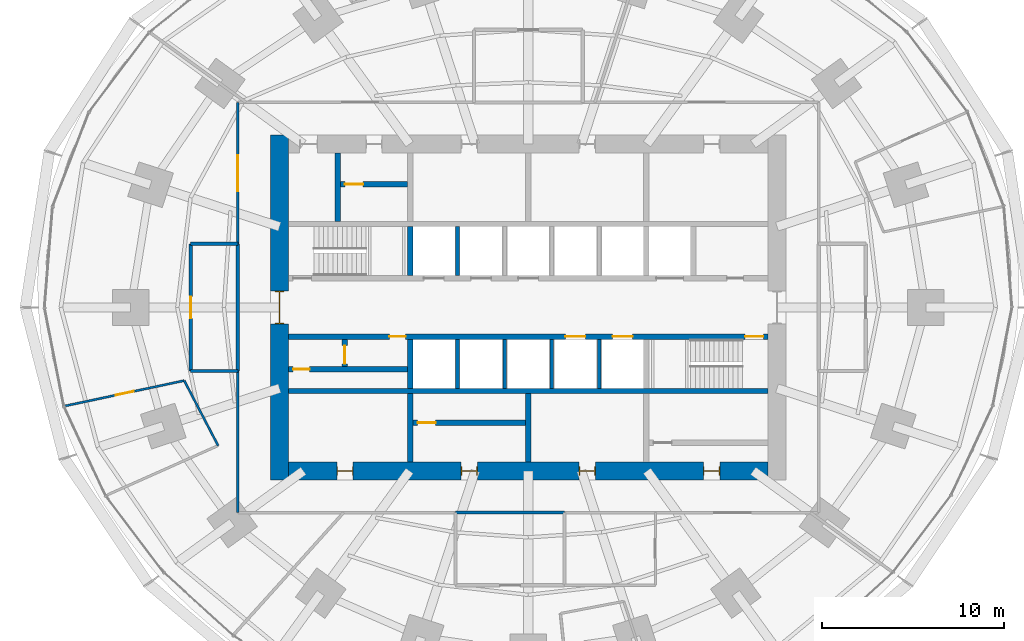
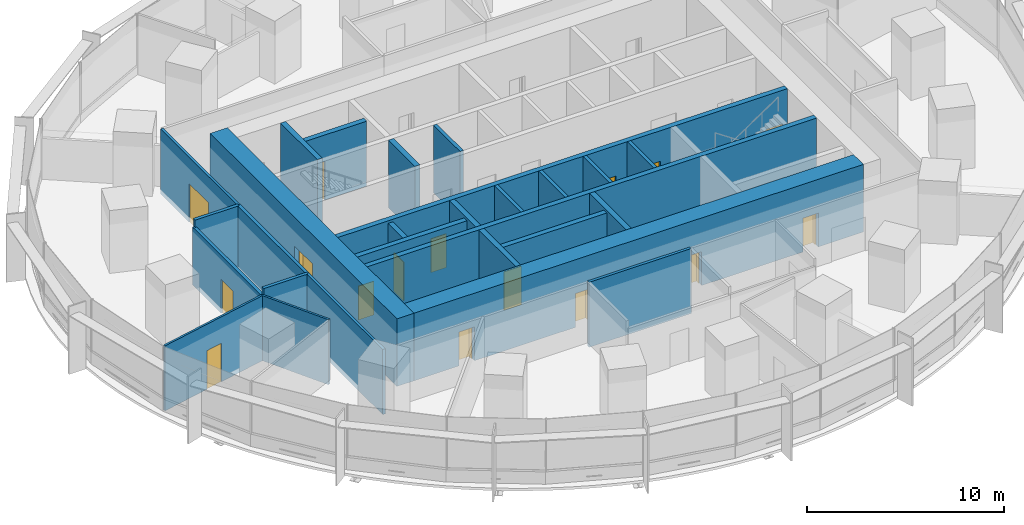
# One storey, part 11 of 15: 27 walls, 16 doors, 16 openings.
"""IFC4 building model written with IfcOpenShell, lengths in metres."""

from ifc_helpers import new_model, si_unit, direction, frame, frame_2d, origin, place, context, subcontext, project, spatial, rectangle, extrude, material, layer, layer_set, type_object, element, fill, save


model = new_model("IFC4")

# Units and contexts
model_context = context("Model", 3, precision=1e-05, world=origin(), true_north=direction((0.0, 1.0)))
body_context = subcontext(model_context, "Body", "Model", "MODEL_VIEW")
ifc_project = project(units=[si_unit("LENGTHUNIT", "METRE"), si_unit("AREAUNIT", "SQUARE_METRE"), si_unit("VOLUMEUNIT", "CUBIC_METRE"), si_unit("PLANEANGLEUNIT", "RADIAN"), si_unit("MASSUNIT", "GRAM", prefix="KILO")], contexts=[model_context])

# Site, building, storey
site_placement = place(None, origin())
site = spatial("IfcSite", under=ifc_project, at=site_placement, CompositionType="ELEMENT")
building_placement = place(site_placement, origin())
building = spatial("IfcBuilding", under=site, at=building_placement, Name="Marramba Exchange Tower", CompositionType="ELEMENT")
storey_placement = place(building_placement, frame((0.0, 0.0, 70.0)))
storey = spatial("IfcBuildingStorey", under=building, at=storey_placement, Name="L16", CompositionType="ELEMENT", Elevation=70.0)

# Walls
ifc_material_1 = material(Name="Plasterboard on staggered double steel studs, acoustic insulation", Category="steel")
ifc_layer_1 = layer(ifc_material_1, 0.169921875)
ifc_layer_set_1 = layer_set([ifc_layer_1], Name="Acoustic partition 170")
wall_type_1 = type_object("IfcWallType", Name="Acoustic partition 170", PredefinedType="PARTITIONING", material=ifc_layer_set_1)
wall_1_placement = place(storey_placement, frame((2.0, -11.300048828125, 0.0), z_axis=(0.0, 0.0, 1.0), x_axis=(-1.0, 0.0, 0.0)))
element("IfcWall", 1, at=wall_1_placement, inside=storey, type_object=wall_type_1, Name="Acoustic partition L16 09", PredefinedType="PARTITIONING", context=body_context, shape_type="SweptSolid", body=[
    extrude(rectangle(XDim=6.0, YDim=0.169921875, at=frame_2d((3.0, 0.0))), origin(), (0.0, 0.0, 1.0), 4.0400390625),
])
ifc_material_2 = material(Name="Concrete N50", Category="concrete")
ifc_layer_2 = layer(ifc_material_2, 0.199951171875)
ifc_layer_set_2 = layer_set([ifc_layer_2], Name="Core shaft wall 200")
wall_type_2 = type_object("IfcWallType", Name="Core shaft wall 200", PredefinedType="SHEAR", material=ifc_layer_set_2)
for number, where, z_axis, x_axis, name in (
    (2, (-3.89990234375, 1.75, 0.0), (0.0, 0.0, 1.0), (0.0, 1.0, 0.0), "Core wall SHN1 L16"),
    (3, (-3.89990234375, -1.75, 0.0), (0.0, 0.0, 1.0), (0.0, -1.0, 0.0), "Core wall SHS1 L16"),
    (4, (-1.300048828125, -1.75, 0.0), (0.0, 0.0, 1.0), (0.0, -1.0, 0.0), "Core wall SHS2 L16"),
    (5, (1.300048828125, -1.75, 0.0), (0.0, 0.0, 1.0), (0.0, -1.0, 0.0), "Core wall SHS3 L16"),
    (6, (3.89990234375, -1.75, 0.0), (0.0, 0.0, 1.0), (0.0, -1.0, 0.0), "Core wall SHS4 L16"),
):
    element("IfcWall", number, at=place(storey_placement, frame(where, z_axis=z_axis, x_axis=x_axis)), inside=storey, type_object=wall_type_2, Name=name, PredefinedType="SHEAR", context=body_context, shape_type="SweptSolid", body=[
        extrude(rectangle(XDim=2.699951171875, YDim=0.199951171875, at=frame_2d((1.35009765625, 0.0))), origin(), (0.0, 0.0, 1.0), 4.199951171875),
    ])

# Wall, openings, doors
ifc_layer_3 = layer(ifc_material_2, 1.0)
ifc_layer_set_3 = layer_set([ifc_layer_3], Name="Core wall 1000")
wall_type_3 = type_object("IfcWallType", Name="Core wall 1000", PredefinedType="SHEAR", material=ifc_layer_set_3)
wall_2_placement = place(storey_placement, frame((-13.199951171875, -9.0, 0.0), z_axis=(0.0, 0.0, 1.0), x_axis=(1.0, 0.0, 0.0)))
wall_2 = element("IfcWall", 7, at=wall_2_placement, inside=storey, type_object=wall_type_3, Name="Core wall S L16", PredefinedType="SHEAR", context=body_context, shape_type="SweptSolid", body=[
    extrude(rectangle(XDim=26.39990234375, YDim=1.0, at=frame_2d((13.199951171875, 0.0))), origin(), (0.0, 0.0, 1.0), 4.199951171875),
])
opening_1_placement = place(wall_2_placement, frame((2.64990234375, 0.0, 0.0)))
opening_1 = element("IfcOpeningElement", 8, at=opening_1_placement, cuts=wall_2, Name="Opening D5", PredefinedType="OPENING", context=body_context, shape_type="SweptSolid", body=[
    extrude(rectangle(XDim=0.89990234375, YDim=2.10009765625, at=frame_2d((0.449951171875, 1.050048828125))), frame((0.0, 0.510009765625, 0.0), z_axis=(0.0, -1.0, 0.0), x_axis=(1.0, 0.0, 0.0)), (0.0, 0.0, 1.0), 1.02001953125),
])
opening_2_placement = place(wall_2_placement, frame((9.5, 0.0, 0.0)))
opening_2 = element("IfcOpeningElement", 9, at=opening_2_placement, cuts=wall_2, Name="Opening D5", PredefinedType="OPENING", context=body_context, shape_type="SweptSolid", body=[
    extrude(rectangle(XDim=0.89990234375, YDim=2.10009765625, at=frame_2d((0.449951171875, 1.050048828125))), frame((0.0, 0.510009765625, 0.0), z_axis=(0.0, -1.0, 0.0), x_axis=(1.0, 0.0, 0.0)), (0.0, 0.0, 1.0), 1.02001953125),
])
opening_3_placement = place(wall_2_placement, frame((16.0, 0.0, 0.0)))
opening_3 = element("IfcOpeningElement", 10, at=opening_3_placement, cuts=wall_2, Name="Opening D5", PredefinedType="OPENING", context=body_context, shape_type="SweptSolid", body=[
    extrude(rectangle(XDim=0.89990234375, YDim=2.10009765625, at=frame_2d((0.449951171875, 1.050048828125))), frame((0.0, 0.510009765625, 0.0), z_axis=(0.0, -1.0, 0.0), x_axis=(1.0, 0.0, 0.0)), (0.0, 0.0, 1.0), 1.02001953125),
])
opening_4_placement = place(wall_2_placement, frame((22.85009765625, 0.0, 0.0)))
opening_4 = element("IfcOpeningElement", 11, at=opening_4_placement, cuts=wall_2, Name="Opening D5", PredefinedType="OPENING", context=body_context, shape_type="SweptSolid", body=[
    extrude(rectangle(XDim=0.89990234375, YDim=2.10009765625, at=frame_2d((0.449951171875, 1.050048828125))), frame((0.0, 0.510009765625, 0.0), z_axis=(0.0, -1.0, 0.0), x_axis=(1.0, 0.0, 0.0)), (0.0, 0.0, 1.0), 1.02001953125),
])
ifc_material_3 = material(Name="Steel-framed door", Category="steel")
door_type_1 = type_object("IfcDoorType", Name="Service door 900x2100", OperationType="SINGLE_SWING_LEFT", PredefinedType="DOOR", material=ifc_material_3)
door_1_placement = place(opening_1_placement, origin())
door_1 = element("IfcDoor", 12, at=door_1_placement, inside=storey, type_object=door_type_1, Name="D5 ahu L16", OperationType="SINGLE_SWING_LEFT", OverallHeight=2.10009765625, OverallWidth=0.89990234375, PredefinedType="DOOR", context=body_context, shape_type="SweptSolid", body=[
    extrude(rectangle(XDim=0.81982421875, YDim=2.06005859375, at=frame_2d((0.449951171875, 1.030029296875))), frame((0.0, 0.02490234375, 0.0), z_axis=(0.0, -1.0, 0.0), x_axis=(1.0, 0.0, 0.0)), (0.0, 0.0, 1.0), 0.050048828125),
    extrude(rectangle(XDim=0.04, YDim=2.10009765625, at=frame_2d((0.02001953125, 1.050048828125))), frame((0.0, 0.25, 0.0), z_axis=(0.0, -1.0, 0.0), x_axis=(1.0, 0.0, 0.0)), (0.0, 0.0, 1.0), 0.5),
    extrude(rectangle(XDim=0.04, YDim=2.10009765625, at=frame_2d((0.8798828125, 1.050048828125))), frame((0.0, 0.25, 0.0), z_axis=(0.0, -1.0, 0.0), x_axis=(1.0, 0.0, 0.0)), (0.0, 0.0, 1.0), 0.5),
    extrude(rectangle(XDim=0.81982421875, YDim=0.04, at=frame_2d((0.449951171875, 2.080078125))), frame((0.0, 0.25, 0.0), z_axis=(0.0, -1.0, 0.0), x_axis=(1.0, 0.0, 0.0)), (0.0, 0.0, 1.0), 0.5),
])
fill(opening_1, door_1)
door_2_placement = place(opening_2_placement, origin())
door_2 = element("IfcDoor", 13, at=door_2_placement, inside=storey, type_object=door_type_1, Name="D5 store L16", OperationType="SINGLE_SWING_RIGHT", OverallHeight=2.10009765625, OverallWidth=0.89990234375, PredefinedType="DOOR", context=body_context, shape_type="SweptSolid", body=[
    extrude(rectangle(XDim=0.81982421875, YDim=2.06005859375, at=frame_2d((0.449951171875, 1.030029296875))), frame((0.0, 0.02490234375, 0.0), z_axis=(0.0, -1.0, 0.0), x_axis=(1.0, 0.0, 0.0)), (0.0, 0.0, 1.0), 0.050048828125),
    extrude(rectangle(XDim=0.04, YDim=2.10009765625, at=frame_2d((0.02001953125, 1.050048828125))), frame((0.0, 0.25, 0.0), z_axis=(0.0, -1.0, 0.0), x_axis=(1.0, 0.0, 0.0)), (0.0, 0.0, 1.0), 0.5),
    extrude(rectangle(XDim=0.04, YDim=2.10009765625, at=frame_2d((0.8798828125, 1.050048828125))), frame((0.0, 0.25, 0.0), z_axis=(0.0, -1.0, 0.0), x_axis=(1.0, 0.0, 0.0)), (0.0, 0.0, 1.0), 0.5),
    extrude(rectangle(XDim=0.81982421875, YDim=0.04, at=frame_2d((0.449951171875, 2.080078125))), frame((0.0, 0.25, 0.0), z_axis=(0.0, -1.0, 0.0), x_axis=(1.0, 0.0, 0.0)), (0.0, 0.0, 1.0), 0.5),
])
fill(opening_2, door_2)
door_3_placement = place(opening_3_placement, origin())
door_3 = element("IfcDoor", 14, at=door_3_placement, inside=storey, type_object=door_type_1, Name="D5 switch L16", OperationType="SINGLE_SWING_RIGHT", OverallHeight=2.10009765625, OverallWidth=0.89990234375, PredefinedType="DOOR", context=body_context, shape_type="SweptSolid", body=[
    extrude(rectangle(XDim=0.81982421875, YDim=2.06005859375, at=frame_2d((0.449951171875, 1.030029296875))), frame((0.0, 0.02490234375, 0.0), z_axis=(0.0, -1.0, 0.0), x_axis=(1.0, 0.0, 0.0)), (0.0, 0.0, 1.0), 0.050048828125),
    extrude(rectangle(XDim=0.04, YDim=2.10009765625, at=frame_2d((0.02001953125, 1.050048828125))), frame((0.0, 0.25, 0.0), z_axis=(0.0, -1.0, 0.0), x_axis=(1.0, 0.0, 0.0)), (0.0, 0.0, 1.0), 0.5),
    extrude(rectangle(XDim=0.04, YDim=2.10009765625, at=frame_2d((0.8798828125, 1.050048828125))), frame((0.0, 0.25, 0.0), z_axis=(0.0, -1.0, 0.0), x_axis=(1.0, 0.0, 0.0)), (0.0, 0.0, 1.0), 0.5),
    extrude(rectangle(XDim=0.81982421875, YDim=0.04, at=frame_2d((0.449951171875, 2.080078125))), frame((0.0, 0.25, 0.0), z_axis=(0.0, -1.0, 0.0), x_axis=(1.0, 0.0, 0.0)), (0.0, 0.0, 1.0), 0.5),
])
fill(opening_3, door_3)
door_4_placement = place(opening_4_placement, origin())
door_4 = element("IfcDoor", 15, at=door_4_placement, inside=storey, type_object=door_type_1, Name="D5 cstore L16", OperationType="SINGLE_SWING_RIGHT", OverallHeight=2.10009765625, OverallWidth=0.89990234375, PredefinedType="DOOR", context=body_context, shape_type="SweptSolid", body=[
    extrude(rectangle(XDim=0.81982421875, YDim=2.06005859375, at=frame_2d((0.449951171875, 1.030029296875))), frame((0.0, 0.02490234375, 0.0), z_axis=(0.0, -1.0, 0.0), x_axis=(1.0, 0.0, 0.0)), (0.0, 0.0, 1.0), 0.050048828125),
    extrude(rectangle(XDim=0.04, YDim=2.10009765625, at=frame_2d((0.02001953125, 1.050048828125))), frame((0.0, 0.25, 0.0), z_axis=(0.0, -1.0, 0.0), x_axis=(1.0, 0.0, 0.0)), (0.0, 0.0, 1.0), 0.5),
    extrude(rectangle(XDim=0.04, YDim=2.10009765625, at=frame_2d((0.8798828125, 1.050048828125))), frame((0.0, 0.25, 0.0), z_axis=(0.0, -1.0, 0.0), x_axis=(1.0, 0.0, 0.0)), (0.0, 0.0, 1.0), 0.5),
    extrude(rectangle(XDim=0.81982421875, YDim=0.04, at=frame_2d((0.449951171875, 2.080078125))), frame((0.0, 0.25, 0.0), z_axis=(0.0, -1.0, 0.0), x_axis=(1.0, 0.0, 0.0)), (0.0, 0.0, 1.0), 0.5),
])
fill(opening_4, door_4)

# Wall, opening, door
wall_3_placement = place(storey_placement, frame((-13.699951171875, 9.5, 0.0), z_axis=(0.0, 0.0, 1.0), x_axis=(0.0, -1.0, 0.0)))
wall_3 = element("IfcWall", 16, at=wall_3_placement, inside=storey, type_object=wall_type_3, Name="Core wall W L16", PredefinedType="SHEAR", context=body_context, shape_type="SweptSolid", body=[
    extrude(rectangle(XDim=19.0, YDim=1.0, at=frame_2d((9.5, 0.0))), origin(), (0.0, 0.0, 1.0), 4.199951171875),
])
opening_5_placement = place(wall_3_placement, frame((8.60009765625, 0.0, 0.0)))
opening_5 = element("IfcOpeningElement", 17, at=opening_5_placement, cuts=wall_3, Name="Opening D1", PredefinedType="OPENING", context=body_context, shape_type="SweptSolid", body=[
    extrude(rectangle(XDim=1.800048828125, YDim=2.39990234375, at=frame_2d((0.89990234375, 1.199951171875))), frame((0.0, 0.510009765625, 0.0), z_axis=(0.0, -1.0, 0.0), x_axis=(1.0, 0.0, 0.0)), (0.0, 0.0, 1.0), 1.02001953125),
])
door_type_2 = type_object("IfcDoorType", Name="Lobby exit door 1800x2400", OperationType="DOUBLE_DOOR_SINGLE_SWING", PredefinedType="DOOR", material=ifc_material_3)
door_5_placement = place(opening_5_placement, origin())
door_5 = element("IfcDoor", 18, at=door_5_placement, inside=storey, type_object=door_type_2, Name="D1 lobby exit west L16", OperationType="DOUBLE_DOOR_SINGLE_SWING", OverallHeight=2.39990234375, OverallWidth=1.800048828125, PredefinedType="DOOR", context=body_context, shape_type="SweptSolid", body=[
    extrude(rectangle(XDim=1.719970703125, YDim=2.35986328125, at=frame_2d((0.89990234375, 1.179931640625))), frame((0.0, 0.02490234375, 0.0), z_axis=(0.0, -1.0, 0.0), x_axis=(1.0, 0.0, 0.0)), (0.0, 0.0, 1.0), 0.050048828125),
    extrude(rectangle(XDim=0.04, YDim=2.39990234375, at=frame_2d((0.02001953125, 1.199951171875))), frame((0.0, 0.25, 0.0), z_axis=(0.0, -1.0, 0.0), x_axis=(1.0, 0.0, 0.0)), (0.0, 0.0, 1.0), 0.5),
    extrude(rectangle(XDim=0.04, YDim=2.39990234375, at=frame_2d((1.780029296875, 1.199951171875))), frame((0.0, 0.25, 0.0), z_axis=(0.0, -1.0, 0.0), x_axis=(1.0, 0.0, 0.0)), (0.0, 0.0, 1.0), 0.5),
    extrude(rectangle(XDim=1.719970703125, YDim=0.04, at=frame_2d((0.89990234375, 2.3798828125))), frame((0.0, 0.25, 0.0), z_axis=(0.0, -1.0, 0.0), x_axis=(1.0, 0.0, 0.0)), (0.0, 0.0, 1.0), 0.5),
])
fill(opening_5, door_5)

# Wall, openings, doors
ifc_layer_4 = layer(ifc_material_2, 0.300048828125)
ifc_layer_set_4 = layer_set([ifc_layer_4], Name="Core wall 300")
wall_type_4 = type_object("IfcWallType", Name="Core wall 300", PredefinedType="SHEAR", material=ifc_layer_set_4)
wall_4_placement = place(storey_placement, frame((-13.199951171875, -1.60009765625, 0.0), z_axis=(0.0, 0.0, 1.0), x_axis=(1.0, 0.0, 0.0)))
wall_4 = element("IfcWall", 19, at=wall_4_placement, inside=storey, type_object=wall_type_4, Name="Core wall LS L16", PredefinedType="SHEAR", context=body_context, shape_type="SweptSolid", body=[
    extrude(rectangle(XDim=26.39990234375, YDim=0.300048828125, at=frame_2d((13.199951171875, 0.0))), origin(), (0.0, 0.0, 1.0), 4.199951171875),
])
opening_6_placement = place(wall_4_placement, frame((25.14990234375, 0.0, 0.0)))
opening_6 = element("IfcOpeningElement", 20, at=opening_6_placement, cuts=wall_4, Name="Opening D2", PredefinedType="OPENING", context=body_context, shape_type="SweptSolid", body=[
    extrude(rectangle(XDim=1.0, YDim=2.10009765625, at=frame_2d((0.5, 1.050048828125))), frame((0.0, 0.159912109375, 0.0), z_axis=(0.0, -1.0, 0.0), x_axis=(1.0, 0.0, 0.0)), (0.0, 0.0, 1.0), 0.320068359375),
])
opening_7_placement = place(wall_4_placement, frame((15.25, 0.0, 0.0)))
opening_7 = element("IfcOpeningElement", 21, at=opening_7_placement, cuts=wall_4, Name="Opening LD2", PredefinedType="OPENING", context=body_context, shape_type="SweptSolid", body=[
    extrude(rectangle(XDim=1.10009765625, YDim=2.300048828125, at=frame_2d((0.550048828125, 1.14990234375))), frame((0.0, 0.159912109375, 0.0), z_axis=(0.0, -1.0, 0.0), x_axis=(1.0, 0.0, 0.0)), (0.0, 0.0, 1.0), 0.320068359375),
])
opening_8_placement = place(wall_4_placement, frame((17.85009765625, 0.0, 0.0)))
opening_8 = element("IfcOpeningElement", 22, at=opening_8_placement, cuts=wall_4, Name="Opening LD2", PredefinedType="OPENING", context=body_context, shape_type="SweptSolid", body=[
    extrude(rectangle(XDim=1.10009765625, YDim=2.300048828125, at=frame_2d((0.550048828125, 1.14990234375))), frame((0.0, 0.159912109375, 0.0), z_axis=(0.0, -1.0, 0.0), x_axis=(1.0, 0.0, 0.0)), (0.0, 0.0, 1.0), 0.320068359375),
])
opening_9_placement = place(wall_4_placement, frame((5.550048828125, 0.0, 0.0)))
opening_9 = element("IfcOpeningElement", 23, at=opening_9_placement, cuts=wall_4, Name="Opening D5", PredefinedType="OPENING", context=body_context, shape_type="SweptSolid", body=[
    extrude(rectangle(XDim=0.89990234375, YDim=2.10009765625, at=frame_2d((0.449951171875, 1.050048828125))), frame((0.0, 0.159912109375, 0.0), z_axis=(0.0, -1.0, 0.0), x_axis=(1.0, 0.0, 0.0)), (0.0, 0.0, 1.0), 0.320068359375),
])
door_type_3 = type_object("IfcDoorType", Name="Emergency lift landing door 1100x2300", OperationType="SLIDING_TO_LEFT", PredefinedType="DOOR", material=ifc_material_3)
door_6_placement = place(opening_7_placement, frame((1.10009765625, 0.0, 0.0), z_axis=(0.0, 0.0, 1.0), x_axis=(-1.0, 0.0, 0.0)))
door_6 = element("IfcDoor", 24, at=door_6_placement, inside=storey, type_object=door_type_3, Name="FL1 landing door L16", OperationType="SLIDING_TO_RIGHT", OverallHeight=2.300048828125, OverallWidth=1.10009765625, PredefinedType="DOOR", context=body_context, shape_type="SweptSolid", body=[
    extrude(rectangle(XDim=1.10009765625, YDim=2.300048828125, at=frame_2d((0.550048828125, 1.14990234375))), frame((0.0, 0.025146484375, 0.0), z_axis=(0.0, -1.0, 0.0), x_axis=(1.0, 0.0, 0.0)), (0.0, 0.0, 1.0), 0.050048828125),
])
fill(opening_7, door_6)
door_7_placement = place(opening_8_placement, frame((1.10009765625, 0.0, 0.0), z_axis=(0.0, 0.0, 1.0), x_axis=(-1.0, 0.0, 0.0)))
door_7 = element("IfcDoor", 25, at=door_7_placement, inside=storey, type_object=door_type_3, Name="FL2 landing door L16", OperationType="SLIDING_TO_LEFT", OverallHeight=2.300048828125, OverallWidth=1.10009765625, PredefinedType="DOOR", context=body_context, shape_type="SweptSolid", body=[
    extrude(rectangle(XDim=1.10009765625, YDim=2.300048828125, at=frame_2d((0.550048828125, 1.14990234375))), frame((0.0, 0.025146484375, 0.0), z_axis=(0.0, -1.0, 0.0), x_axis=(1.0, 0.0, 0.0)), (0.0, 0.0, 1.0), 0.050048828125),
])
fill(opening_8, door_7)
door_8_placement = place(opening_9_placement, frame((0.89990234375, 0.0, 0.0), z_axis=(0.0, 0.0, 1.0), x_axis=(-1.0, 0.0, 0.0)))
door_8 = element("IfcDoor", 26, at=door_8_placement, inside=storey, type_object=door_type_1, Name="D5 electrical riser L16", OperationType="SINGLE_SWING_LEFT", OverallHeight=2.10009765625, OverallWidth=0.89990234375, PredefinedType="DOOR", context=body_context, shape_type="SweptSolid", body=[
    extrude(rectangle(XDim=0.89990234375, YDim=2.10009765625, at=frame_2d((0.449951171875, 1.050048828125))), frame((0.0, 0.025146484375, 0.0), z_axis=(0.0, -1.0, 0.0), x_axis=(1.0, 0.0, 0.0)), (0.0, 0.0, 1.0), 0.050048828125),
])
fill(opening_9, door_8)
door_type_4 = type_object("IfcDoorType", Name="Stair door 1000x2100", OperationType="SINGLE_SWING_LEFT", PredefinedType="DOOR", material=ifc_material_3)
door_9_placement = place(opening_6_placement, frame((1.0, 0.0, 0.0), z_axis=(0.0, 0.0, 1.0), x_axis=(-1.0, 0.0, 0.0)))
door_9 = element("IfcDoor", 27, at=door_9_placement, inside=storey, type_object=door_type_4, Name="D2 stair ST2 L16", OperationType="SINGLE_SWING_LEFT", OverallHeight=2.10009765625, OverallWidth=1.0, PredefinedType="DOOR", context=body_context, shape_type="SweptSolid", body=[
    extrude(rectangle(XDim=1.0, YDim=2.10009765625, at=frame_2d((0.5, 1.050048828125))), frame((0.0, 0.025146484375, 0.0), z_axis=(0.0, -1.0, 0.0), x_axis=(1.0, 0.0, 0.0)), (0.0, 0.0, 1.0), 0.050048828125),
])
fill(opening_6, door_9)

# Walls
wall_5_placement = place(storey_placement, frame((-13.199951171875, -4.60009765625, 0.0), z_axis=(0.0, 0.0, 1.0), x_axis=(1.0, 0.0, 0.0)))
element("IfcWall", 28, at=wall_5_placement, inside=storey, type_object=wall_type_4, Name="Core wall BS L16", PredefinedType="SHEAR", context=body_context, shape_type="SweptSolid", body=[
    extrude(rectangle(XDim=26.39990234375, YDim=0.300048828125, at=frame_2d((13.199951171875, 0.0))), origin(), (0.0, 0.0, 1.0), 4.199951171875),
])
for number, where, z_axis, x_axis, name in (
    (29, (-6.5, 1.75, 0.0), (0.0, 0.0, 1.0), (0.0, 1.0, 0.0), "Core wall X0Na L16"),
    (30, (-6.5, -1.75, 0.0), (0.0, 0.0, 1.0), (0.0, -1.0, 0.0), "Core wall X0Sa L16"),
):
    element("IfcWall", number, at=place(storey_placement, frame(where, z_axis=z_axis, x_axis=x_axis)), inside=storey, type_object=wall_type_4, Name=name, PredefinedType="SHEAR", context=body_context, shape_type="SweptSolid", body=[
        extrude(rectangle(XDim=2.699951171875, YDim=0.300048828125, at=frame_2d((1.35009765625, 0.0))), origin(), (0.0, 0.0, 1.0), 4.199951171875),
    ])
for number, where, z_axis, x_axis, name in (
    (31, (-6.5, -4.75, 0.0), (0.0, 0.0, 1.0), (0.0, -1.0, 0.0), "Core wall X0Sb L16"),
    (32, (0.0, -4.75, 0.0), (0.0, 0.0, 1.0), (0.0, -1.0, 0.0), "Core wall MS L16"),
    (33, (-10.5, 4.75, 0.0), (0.0, 0.0, 1.0), (0.0, 1.0, 0.0), "Core wall WD L16"),
):
    element("IfcWall", number, at=place(storey_placement, frame(where, z_axis=z_axis, x_axis=x_axis)), inside=storey, type_object=wall_type_4, Name=name, PredefinedType="SHEAR", context=body_context, shape_type="SweptSolid", body=[
        extrude(rectangle(XDim=3.75, YDim=0.300048828125, at=frame_2d((1.875, 0.0))), origin(), (0.0, 0.0, 1.0), 4.199951171875),
    ])
ifc_material_4 = material(Name="Core-filled concrete blockwork, rendered", Category="masonry")
ifc_layer_5 = layer(ifc_material_4, 0.18994140625)
ifc_layer_set_5 = layer_set([ifc_layer_5], Name="Equipment room wall 190")
wall_type_5 = type_object("IfcWallType", Name="Equipment room wall 190", PredefinedType="SOLIDWALL", material=ifc_layer_set_5)
for number, where, z_axis, x_axis, name in (
    (34, (-18.60009765625, -3.5, 0.0), (0.0, 0.0, 1.0), (1.0, 0.0, 0.0), "Equipment room wall L16 01"),
    (35, (-16.0, 3.5, 0.0), (0.0, 0.0, 1.0), (-1.0, 0.0, 0.0), "Equipment room wall L16 40"),
):
    element("IfcWall", number, at=place(storey_placement, frame(where, z_axis=z_axis, x_axis=x_axis)), inside=storey, type_object=wall_type_5, Name=name, PredefinedType="SOLIDWALL", context=body_context, shape_type="SweptSolid", body=[
        extrude(rectangle(XDim=2.60009765625, YDim=0.18994140625, at=frame_2d((1.300048828125, 0.0))), origin(), (0.0, 0.0, 1.0), 4.0400390625),
    ])

# Wall, opening, door
wall_6_placement = place(storey_placement, frame((-18.60009765625, 3.5, 0.0), z_axis=(0.0, 0.0, 1.0), x_axis=(0.0, -1.0, 0.0)))
wall_6 = element("IfcWall", 36, at=wall_6_placement, inside=storey, type_object=wall_type_5, Name="Equipment room wall L16 41", PredefinedType="SOLIDWALL", context=body_context, shape_type="SweptSolid", body=[
    extrude(rectangle(XDim=7.0, YDim=0.18994140625, at=frame_2d((3.5, 0.0))), origin(), (0.0, 0.0, 1.0), 3.5859375),
])
opening_10_placement = place(wall_6_placement, frame((2.89990234375, 0.0, 0.0)))
opening_10 = element("IfcOpeningElement", 37, at=opening_10_placement, cuts=wall_6, Name="Opening D16", PredefinedType="OPENING", context=body_context, shape_type="SweptSolid", body=[
    extrude(rectangle(XDim=1.199951171875, YDim=2.10009765625, at=frame_2d((0.60009765625, 1.050048828125))), frame((0.0, 0.10498046875, 0.0), z_axis=(0.0, -1.0, 0.0), x_axis=(1.0, 0.0, 0.0)), (0.0, 0.0, 1.0), 0.2099609375),
])
door_type_5 = type_object("IfcDoorType", Name="Equipment room door 1200x2100", OperationType="SINGLE_SWING_LEFT", PredefinedType="DOOR", material=ifc_material_3)
door_10_placement = place(opening_10_placement, origin())
door_10 = element("IfcDoor", 38, at=door_10_placement, inside=storey, type_object=door_type_5, Name="D16 Data Room 2 L16", OperationType="SINGLE_SWING_RIGHT", OverallHeight=2.10009765625, OverallWidth=1.199951171875, PredefinedType="DOOR", context=body_context, shape_type="SweptSolid", body=[
    extrude(rectangle(XDim=1.199951171875, YDim=2.10009765625, at=frame_2d((0.60009765625, 1.050048828125))), frame((0.0, 0.02490234375, 0.0), z_axis=(0.0, -1.0, 0.0), x_axis=(1.0, 0.0, 0.0)), (0.0, 0.0, 1.0), 0.050048828125),
])
fill(opening_10, door_10)

# Wall
wall_7_placement = place(storey_placement, frame((-16.0, -3.5, 0.0), z_axis=(0.0, 0.0, 1.0), x_axis=(0.0, 1.0, 0.0)))
element("IfcWall", 39, at=wall_7_placement, inside=storey, type_object=wall_type_5, Name="Equipment room wall L16 42", PredefinedType="SOLIDWALL", context=body_context, shape_type="SweptSolid", body=[
    extrude(rectangle(XDim=7.0, YDim=0.18994140625, at=frame_2d((3.5, 0.0))), origin(), (0.0, 0.0, 1.0), 4.0400390625),
])

# Wall, opening, door
ifc_material_5 = material(Name="Plasterboard on steel studs", Category="steel")
ifc_layer_6 = layer(ifc_material_5, 0.1201171875)
ifc_layer_set_6 = layer_set([ifc_layer_6], Name="Partition 120")
wall_type_6 = type_object("IfcWallType", Name="Partition 120", PredefinedType="PARTITIONING", material=ifc_layer_set_6)
wall_8_placement = place(storey_placement, frame((-18.952880859375, -4.028564453125, 0.0), z_axis=(0.0, 0.0, 1.0), x_axis=(-0.978145049807, -0.207923691622, 0.0)))
wall_8 = element("IfcWall", 40, at=wall_8_placement, inside=storey, type_object=wall_type_6, Name="Partition L16 02", PredefinedType="PARTITIONING", context=body_context, shape_type="SweptSolid", body=[
    extrude(rectangle(XDim=6.699951171875, YDim=0.1201171875, at=frame_2d((3.35009765625, 0.0))), origin(), (0.0, 0.0, 1.0), 4.0400390625),
])
opening_11_placement = place(wall_8_placement, frame((2.85009765625, 0.0, 0.0)))
opening_11 = element("IfcOpeningElement", 41, at=opening_11_placement, cuts=wall_8, Name="Opening D9", PredefinedType="OPENING", context=body_context, shape_type="SweptSolid", body=[
    extrude(rectangle(XDim=1.0, YDim=2.39990234375, at=frame_2d((0.5, 1.199951171875))), frame((0.0, 0.070068359375, 0.0), z_axis=(0.0, -1.0, 0.0), x_axis=(1.0, 0.0, 0.0)), (0.0, 0.0, 1.0), 0.14013671875),
])
ifc_material_6 = material(Name="Timber door", Category="wood")
door_type_6 = type_object("IfcDoorType", Name="Room door 1000x2400", OperationType="SINGLE_SWING_LEFT", PredefinedType="DOOR", material=ifc_material_6)
door_11_placement = place(opening_11_placement, origin())
door_11 = element("IfcDoor", 42, at=door_11_placement, inside=storey, type_object=door_type_6, Name="D9 Firm Principal Office 2 L16", OperationType="SINGLE_SWING_RIGHT", OverallHeight=2.39990234375, OverallWidth=1.0, PredefinedType="DOOR", context=body_context, shape_type="SweptSolid", body=[
    extrude(rectangle(XDim=1.0, YDim=2.39990234375, at=frame_2d((0.5, 1.199951171875))), frame((0.0, 0.02490234375, 0.0), z_axis=(0.0, -1.0, 0.0), x_axis=(1.0, 0.0, 0.0)), (0.0, 0.0, 1.0), 0.050048828125),
])
fill(opening_11, door_11)

# Wall
wall_9_placement = place(storey_placement, frame((-17.08740234375, -7.60791015625, 0.0), z_axis=(0.0, 0.0, 1.0), x_axis=(-0.462175272874, 0.886788597775, 0.0)))
element("IfcWall", 43, at=wall_9_placement, inside=storey, type_object=wall_type_6, Name="Partition L16 03", PredefinedType="PARTITIONING", context=body_context, shape_type="SweptSolid", body=[
    extrude(rectangle(XDim=4.036376953125, YDim=0.1201171875, at=frame_2d((2.01806640625, 0.0))), origin(), (0.0, 0.0, 1.0), 4.0400390625),
])

# Wall, opening, door
ifc_material_7 = material(Name="Core-filled concrete blockwork", Category="masonry")
ifc_layer_7 = layer(ifc_material_7, 0.300048828125)
ifc_layer_set_7 = layer_set([ifc_layer_7], Name="Riser enclosure wall 300")
wall_type_7 = type_object("IfcWallType", Name="Riser enclosure wall 300", PredefinedType="SOLIDWALL", material=ifc_layer_set_7)
wall_10_placement = place(storey_placement, frame((-13.199951171875, -3.39990234375, 0.0), z_axis=(0.0, 0.0, 1.0), x_axis=(1.0, 0.0, 0.0)))
wall_10 = element("IfcWall", 44, at=wall_10_placement, inside=storey, type_object=wall_type_7, Name="Riser enclosure wall L16", PredefinedType="SOLIDWALL", context=body_context, shape_type="SweptSolid", body=[
    extrude(rectangle(XDim=6.550048828125, YDim=0.300048828125, at=frame_2d((3.27490234375, 0.0))), origin(), (0.0, 0.0, 1.0), 4.0400390625),
])
opening_12_placement = place(wall_10_placement, frame((0.25, 0.0, 0.0)))
opening_12 = element("IfcOpeningElement", 45, at=opening_12_placement, cuts=wall_10, Name="Opening D5", PredefinedType="OPENING", context=body_context, shape_type="SweptSolid", body=[
    extrude(rectangle(XDim=0.89990234375, YDim=2.10009765625, at=frame_2d((0.449951171875, 1.050048828125))), frame((0.0, 0.159912109375, 0.0), z_axis=(0.0, -1.0, 0.0), x_axis=(1.0, 0.0, 0.0)), (0.0, 0.0, 1.0), 0.320068359375),
])
door_12_placement = place(opening_12_placement, origin())
door_12 = element("IfcDoor", 46, at=door_12_placement, inside=storey, type_object=door_type_1, Name="D5 electrical riser back L16", OperationType="SINGLE_SWING_LEFT", OverallHeight=2.10009765625, OverallWidth=0.89990234375, PredefinedType="DOOR", context=body_context, shape_type="SweptSolid", body=[
    extrude(rectangle(XDim=0.89990234375, YDim=2.10009765625, at=frame_2d((0.449951171875, 1.050048828125))), frame((0.0, 0.02490234375, 0.0), z_axis=(0.0, -1.0, 0.0), x_axis=(1.0, 0.0, 0.0)), (0.0, 0.0, 1.0), 0.050048828125),
])
fill(opening_12, door_12)

ifc_material_8 = material(Name="Plasterboard on steel studs, insulated, unrated", Category="steel")
ifc_layer_8 = layer(ifc_material_8, 0.300048828125)
ifc_layer_set_8 = layer_set([ifc_layer_8], Name="Store partition 300")
wall_type_8 = type_object("IfcWallType", Name="Store partition 300", PredefinedType="PARTITIONING", material=ifc_layer_set_8)
wall_11_placement = place(storey_placement, frame((-10.35009765625, 6.800048828125, 0.0), z_axis=(0.0, 0.0, 1.0), x_axis=(1.0, 0.0, 0.0)))
wall_11 = element("IfcWall", 47, at=wall_11_placement, inside=storey, type_object=wall_type_8, Name="Store partition L16 cleaner", PredefinedType="PARTITIONING", context=body_context, shape_type="SweptSolid", body=[
    extrude(rectangle(XDim=3.7001953125, YDim=0.300048828125, at=frame_2d((1.85009765625, 0.0))), origin(), (0.0, 0.0, 1.0), 4.0400390625),
])
opening_13_placement = place(wall_11_placement, frame((0.25, 0.0, 0.0)))
opening_13 = element("IfcOpeningElement", 48, at=opening_13_placement, cuts=wall_11, Name="Opening D9", PredefinedType="OPENING", context=body_context, shape_type="SweptSolid", body=[
    extrude(rectangle(XDim=1.0, YDim=2.39990234375, at=frame_2d((0.5, 1.199951171875))), frame((0.0, 0.159912109375, 0.0), z_axis=(0.0, -1.0, 0.0), x_axis=(1.0, 0.0, 0.0)), (0.0, 0.0, 1.0), 0.320068359375),
])
door_13_placement = place(opening_13_placement, origin())
door_13 = element("IfcDoor", 49, at=door_13_placement, inside=storey, type_object=door_type_6, Name="D9 cleaning store L16", OperationType="SINGLE_SWING_LEFT", OverallHeight=2.39990234375, OverallWidth=1.0, PredefinedType="DOOR", context=body_context, shape_type="SweptSolid", body=[
    extrude(rectangle(XDim=1.0, YDim=2.39990234375, at=frame_2d((0.5, 1.199951171875))), frame((0.0, 0.02490234375, 0.0), z_axis=(0.0, -1.0, 0.0), x_axis=(1.0, 0.0, 0.0)), (0.0, 0.0, 1.0), 0.050048828125),
])
fill(opening_13, door_13)

wall_12_placement = place(storey_placement, frame((-6.35009765625, -6.360107421875, 0.0), z_axis=(0.0, 0.0, 1.0), x_axis=(1.0, 0.0, 0.0)))
wall_12 = element("IfcWall", 50, at=wall_12_placement, inside=storey, type_object=wall_type_8, Name="Store partition L16 store", PredefinedType="PARTITIONING", context=body_context, shape_type="SweptSolid", body=[
    extrude(rectangle(XDim=6.2001953125, YDim=0.300048828125, at=frame_2d((3.10009765625, 0.0))), origin(), (0.0, 0.0, 1.0), 4.0400390625),
])
opening_14_placement = place(wall_12_placement, frame((0.25, 0.0, 0.0)))
opening_14 = element("IfcOpeningElement", 51, at=opening_14_placement, cuts=wall_12, Name="Opening D9", PredefinedType="OPENING", context=body_context, shape_type="SweptSolid", body=[
    extrude(rectangle(XDim=1.0, YDim=2.39990234375, at=frame_2d((0.5, 1.199951171875))), frame((0.0, 0.159912109375, 0.0), z_axis=(0.0, -1.0, 0.0), x_axis=(1.0, 0.0, 0.0)), (0.0, 0.0, 1.0), 0.320068359375),
])
door_14_placement = place(opening_14_placement, origin())
door_14 = element("IfcDoor", 52, at=door_14_placement, inside=storey, type_object=door_type_6, Name="D9 stationery store L16", OperationType="SINGLE_SWING_LEFT", OverallHeight=2.39990234375, OverallWidth=1.0, PredefinedType="DOOR", context=body_context, shape_type="SweptSolid", body=[
    extrude(rectangle(XDim=1.0, YDim=2.39990234375, at=frame_2d((0.5, 1.199951171875))), frame((0.0, 0.02490234375, 0.0), z_axis=(0.0, -1.0, 0.0), x_axis=(1.0, 0.0, 0.0)), (0.0, 0.0, 1.0), 0.050048828125),
])
fill(opening_14, door_14)

wall_13_placement = place(storey_placement, frame((-10.10009765625, -3.25, 0.0), z_axis=(0.0, 0.0, 1.0), x_axis=(0.0, 1.0, 0.0)))
wall_13 = element("IfcWall", 53, at=wall_13_placement, inside=storey, type_object=wall_type_8, Name="Store partition L16 tool store", PredefinedType="PARTITIONING", context=body_context, shape_type="SweptSolid", body=[
    extrude(rectangle(XDim=1.5, YDim=0.300048828125, at=frame_2d((0.75, 0.0))), origin(), (0.0, 0.0, 1.0), 4.0400390625),
])
opening_15_placement = place(wall_13_placement, frame((0.14990234375, 0.0, 0.0)))
opening_15 = element("IfcOpeningElement", 54, at=opening_15_placement, cuts=wall_13, Name="Opening D9", PredefinedType="OPENING", context=body_context, shape_type="SweptSolid", body=[
    extrude(rectangle(XDim=1.0, YDim=2.39990234375, at=frame_2d((0.5, 1.199951171875))), frame((0.0, 0.159912109375, 0.0), z_axis=(0.0, -1.0, 0.0), x_axis=(1.0, 0.0, 0.0)), (0.0, 0.0, 1.0), 0.320068359375),
])
door_15_placement = place(opening_15_placement, origin())
door_15 = element("IfcDoor", 55, at=door_15_placement, inside=storey, type_object=door_type_6, Name="D9 tool store L16", OperationType="SINGLE_SWING_LEFT", OverallHeight=2.39990234375, OverallWidth=1.0, PredefinedType="DOOR", context=body_context, shape_type="SweptSolid", body=[
    extrude(rectangle(XDim=1.0, YDim=2.39990234375, at=frame_2d((0.5, 1.199951171875))), frame((0.0, 0.02490234375, 0.0), z_axis=(0.0, -1.0, 0.0), x_axis=(1.0, 0.0, 0.0)), (0.0, 0.0, 1.0), 0.050048828125),
])
fill(opening_15, door_15)

# Wall
ifc_material_9 = material(Name="Fire-rated plasterboard on steel studs, acoustic insulation", Category="steel")
ifc_layer_9 = layer(ifc_material_9, 0.14990234375)
ifc_layer_set_9 = layer_set([ifc_layer_9], Name="Tenancy wall 150")
wall_type_9 = type_object("IfcWallType", Name="Tenancy wall 150", PredefinedType="PARTITIONING", material=ifc_layer_set_9)
wall_14_placement = place(storey_placement, frame((-16.0, -3.5, 0.0), z_axis=(0.0, 0.0, 1.0), x_axis=(0.0, -1.0, 0.0)))
element("IfcWall", 56, at=wall_14_placement, inside=storey, type_object=wall_type_9, Name="Tenancy wall L16 05", PredefinedType="PARTITIONING", context=body_context, shape_type="SweptSolid", body=[
    extrude(rectangle(XDim=7.800048828125, YDim=0.14990234375, at=frame_2d((3.89990234375, 0.0))), origin(), (0.0, 0.0, 1.0), 4.0400390625),
])

# Wall, opening, door
wall_15_placement = place(storey_placement, frame((-16.0, 11.300048828125, 0.0), z_axis=(0.0, 0.0, 1.0), x_axis=(0.0, -1.0, 0.0)))
wall_15 = element("IfcWall", 57, at=wall_15_placement, inside=storey, type_object=wall_type_9, Name="Tenancy wall L16 39", PredefinedType="PARTITIONING", context=body_context, shape_type="SweptSolid", body=[
    extrude(rectangle(XDim=7.800048828125, YDim=0.14990234375, at=frame_2d((3.89990234375, 0.0))), origin(), (0.0, 0.0, 1.0), 4.0400390625),
])
opening_16_placement = place(wall_15_placement, frame((2.89990234375, 0.0, 0.0)))
opening_16 = element("IfcOpeningElement", 58, at=opening_16_placement, cuts=wall_15, Name="Opening D17", PredefinedType="OPENING", context=body_context, shape_type="SweptSolid", body=[
    extrude(rectangle(XDim=2.0, YDim=2.39990234375, at=frame_2d((1.0, 1.199951171875))), frame((0.0, 0.0849609375, 0.0), z_axis=(0.0, -1.0, 0.0), x_axis=(1.0, 0.0, 0.0)), (0.0, 0.0, 1.0), 0.169921875),
])
door_type_7 = type_object("IfcDoorType", Name="Trading floor entry door pair 2000x2400", OperationType="DOUBLE_DOOR_SINGLE_SWING", PredefinedType="DOOR", material=ifc_material_3)
door_16_placement = place(opening_16_placement, origin())
door_16 = element("IfcDoor", 59, at=door_16_placement, inside=storey, type_object=door_type_7, Name="D17 Trading Floor 2 L16", OperationType="DOUBLE_DOOR_SINGLE_SWING", OverallHeight=2.39990234375, OverallWidth=2.0, PredefinedType="DOOR", context=body_context, shape_type="SweptSolid", body=[
    extrude(rectangle(XDim=2.0, YDim=2.39990234375, at=frame_2d((1.0, 1.199951171875))), frame((0.0, 0.02490234375, 0.0), z_axis=(0.0, -1.0, 0.0), x_axis=(1.0, 0.0, 0.0)), (0.0, 0.0, 1.0), 0.050048828125),
])
fill(opening_16, door_16)

save(model, "model.ifc")
